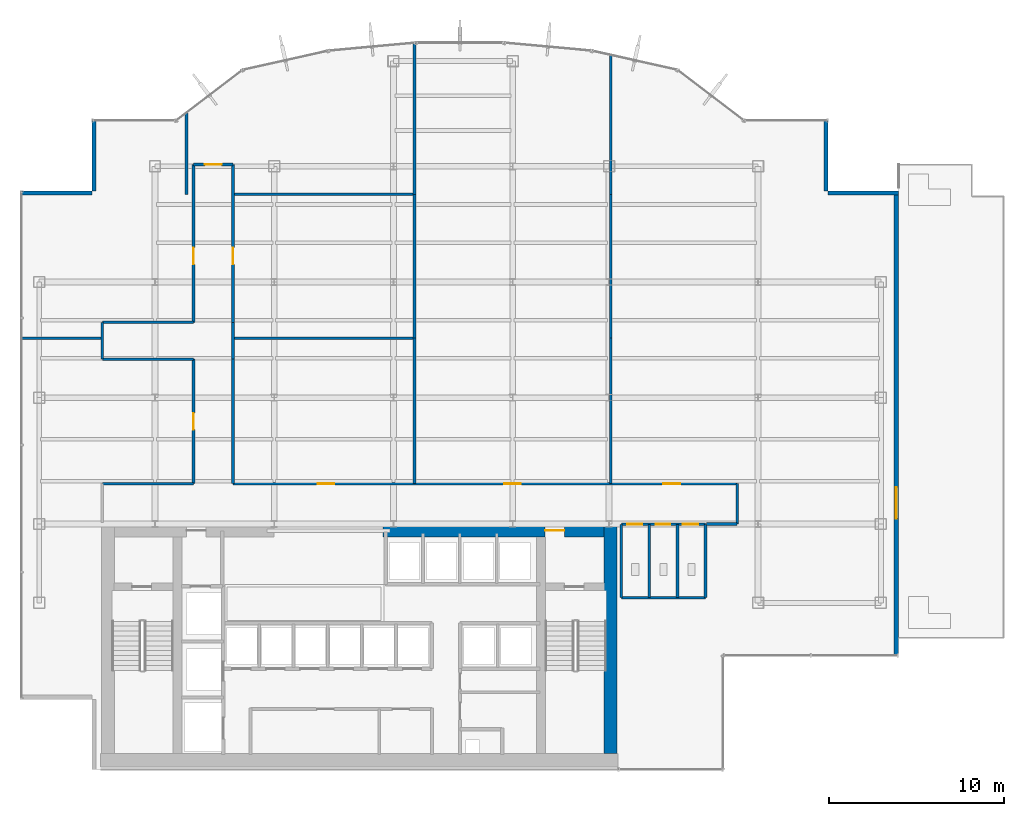
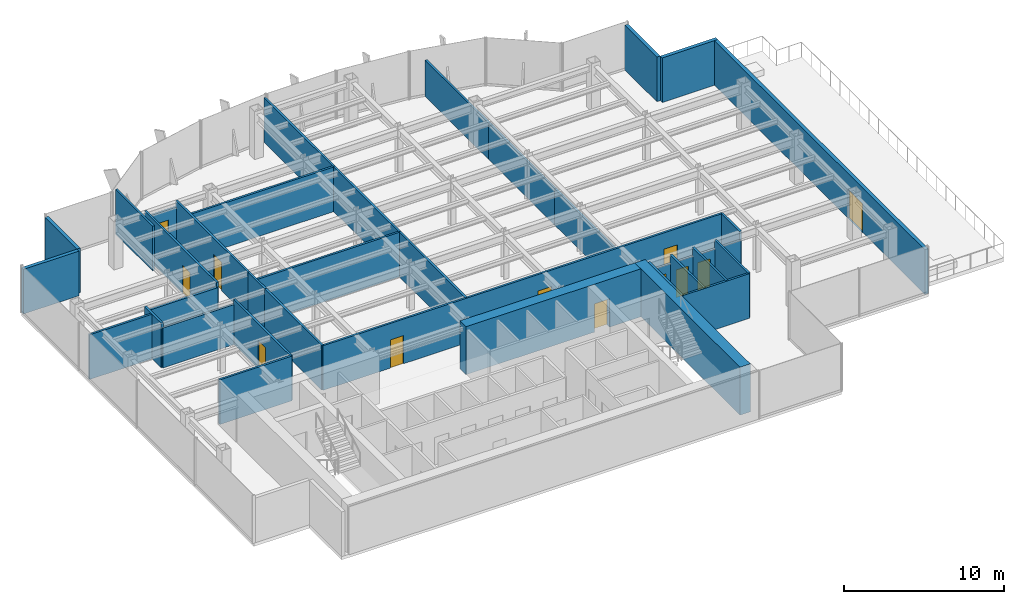
# One storey, part 19 of 23: 36 walls, 12 doors, 12 openings.
"""IFC4 building model written with IfcOpenShell, lengths in metres."""

import ifcopenshell
import ifcopenshell.guid

model = None  # the IFC model being written
_history = None  # IfcOwnerHistory: only IFC2X3 demands one
_inside = {}  # id of a spatial element -> (the spatial element, [elements in it])
_under = {}  # id of a project, library or spatial element -> (it, [spatial elements below it])
_declared = {}  # id of a project -> (the project, [libraries it declares])
_typed = {}  # id of a type object -> (the type object, [elements of that type])
_made_of = {}  # id of a material, layer set ... -> (it, [elements and type objects made of it])


def new_model(schema):
    """Start an empty IFC model of exactly this schema.

    Asked for "IFC4X3", IfcOpenShell would pick the latest addendum, in which some entities
    have other attributes; the version numbers below select the first issue.
    IFC2X3 requires an IfcOwnerHistory on every rooted entity: one is made here for all.
    """
    global model, _history
    if schema == "IFC4X3":
        model = ifcopenshell.file(schema_version=(4, 3, 0, 0))
    else:
        model = ifcopenshell.file(schema=schema)
    _inside.clear()
    _under.clear()
    _declared.clear()
    _typed.clear()
    _made_of.clear()
    _history = None
    if model.schema == "IFC2X3":
        org = make("IfcOrganization", Name="unknown")
        user = make(
            "IfcPersonAndOrganization",
            ThePerson=make("IfcPerson", FamilyName="unknown"),
            TheOrganization=org,
        )
        app = make(
            "IfcApplication",
            ApplicationDeveloper=org,
            Version="unknown",
            ApplicationFullName="unknown",
            ApplicationIdentifier="unknown",
        )
        _history = make(
            "IfcOwnerHistory",
            OwningUser=user,
            OwningApplication=app,
            ChangeAction="ADDED",
            CreationDate=0,
        )
    return model


def make(cls, **values):
    """One entity of the class cls with the attributes given. An attribute that is None is left unset."""
    return model.create_entity(
        cls, **{name: value for name, value in values.items() if value is not None}
    )


def rooted(cls, **values):
    """An entity with a GlobalId (a new one), such as an element, a storey or a relation."""
    return make(cls, GlobalId=ifcopenshell.guid.new(), OwnerHistory=_history, **values)


def si_unit(unit_type, name, prefix=None):
    """IfcSIUnit, for example si_unit("LENGTHUNIT", "METRE", prefix="MILLI")."""
    return make("IfcSIUnit", UnitType=unit_type, Prefix=prefix, Name=name)


def derived_unit(unit_type, elements):
    """IfcDerivedUnit: a product of units, each with its exponent."""
    return make(
        "IfcDerivedUnit",
        Elements=[
            make("IfcDerivedUnitElement", Unit=unit, Exponent=power)
            for unit, power in elements
        ],
        UnitType=unit_type,
    )


def assignment(units):
    """IfcUnitAssignment: the units of a project."""
    return None if units is None else make("IfcUnitAssignment", Units=units)


def point(xyz):
    """IfcCartesianPoint."""
    return None if xyz is None else make("IfcCartesianPoint", Coordinates=xyz)


def direction(xyz):
    """IfcDirection."""
    return None if xyz is None else make("IfcDirection", DirectionRatios=xyz)


def frame(location, z_axis=None, x_axis=None):
    """IfcAxis2Placement3D, a coordinate frame: its origin and axes. An axis left out is left unset."""
    return make(
        "IfcAxis2Placement3D",
        Location=point(location),
        Axis=direction(z_axis),
        RefDirection=direction(x_axis),
    )


def frame_2d(location, x_axis=None):
    """IfcAxis2Placement2D, a coordinate frame in the plane: its origin and x axis."""
    return make(
        "IfcAxis2Placement2D", Location=point(location), RefDirection=direction(x_axis)
    )


def origin():
    """The frame at (0, 0, 0) with its axes left unset."""
    return frame((0.0, 0.0, 0.0))


def place(relative_to, where):
    """IfcLocalPlacement: puts the frame where relative to a parent placement (None: the world)."""
    return make(
        "IfcLocalPlacement", PlacementRelTo=relative_to, RelativePlacement=where
    )


def context(
    kind, dimensions, precision=None, world=None, true_north=None, identifier=None
):
    """IfcGeometricRepresentationContext, for example the 3D "Model" context."""
    return make(
        "IfcGeometricRepresentationContext",
        ContextIdentifier=identifier,
        ContextType=kind,
        CoordinateSpaceDimension=dimensions,
        Precision=precision,
        WorldCoordinateSystem=world,
        TrueNorth=true_north,
    )


def subcontext(parent, identifier, kind, view, scale=None):
    """IfcGeometricRepresentationSubContext, for example "Body" below "Model"."""
    return make(
        "IfcGeometricRepresentationSubContext",
        ContextIdentifier=identifier,
        ContextType=kind,
        ParentContext=parent,
        TargetScale=scale,
        TargetView=view,
    )


def project(units=None, contexts=None):
    """IfcProject with its units and contexts."""
    return rooted(
        "IfcProject",
        Name="project",
        RepresentationContexts=contexts,
        UnitsInContext=assignment(units),
    )


def spatial(cls, under=None, at=None, **own):
    """A site, building, storey or space (cls), placed at a placement, below another one or the project."""
    s = rooted(cls, ObjectPlacement=at, **own)
    if under is not None:
        _under.setdefault(under.id(), (under, []))[1].append(s)
    return s


def profile(cls, at=None, kind="AREA", **sizes):
    """A parametric profile (cls). Its sizes go by their IFC names, for example OverallWidth=200.0."""
    return make(cls, ProfileType=kind, Position=at, **sizes)


def rectangle(**sizes):
    """IfcRectangleProfileDef."""
    return profile("IfcRectangleProfileDef", **sizes)


def extrude(swept, where, along, depth):
    """IfcExtrudedAreaSolid: the profile swept, set in the frame where, extruded along a direction by depth."""
    return make(
        "IfcExtrudedAreaSolid",
        SweptArea=swept,
        Position=where,
        ExtrudedDirection=direction(along),
        Depth=depth,
    )


def shape(context_of_items, identifier, shape_type, items):
    """IfcShapeRepresentation: the items that make up one representation, for example the "Body"."""
    return make(
        "IfcShapeRepresentation",
        ContextOfItems=context_of_items,
        RepresentationIdentifier=identifier,
        RepresentationType=shape_type,
        Items=items,
    )


def source(mapping_origin, context_of_items, identifier, shape_type, items):
    """IfcRepresentationMap: a shape defined once, which mapped items show again and again."""
    return make(
        "IfcRepresentationMap",
        MappingOrigin=mapping_origin,
        MappedRepresentation=shape(context_of_items, identifier, shape_type, items),
    )


def transform(
    local_origin,
    x_axis=None,
    y_axis=None,
    z_axis=None,
    scale=None,
    scale2=None,
    scale3=None,
    uniform=True,
):
    """IfcCartesianTransformationOperator3D, or its non-uniform kind. x_axis, y_axis, z_axis: its Axis1, 2, 3."""
    if uniform:
        return make(
            "IfcCartesianTransformationOperator3D",
            Axis1=direction(x_axis),
            Axis2=direction(y_axis),
            LocalOrigin=point(local_origin),
            Scale=scale,
            Axis3=direction(z_axis),
        )
    return make(
        "IfcCartesianTransformationOperator3DnonUniform",
        Axis1=direction(x_axis),
        Axis2=direction(y_axis),
        LocalOrigin=point(local_origin),
        Scale=scale,
        Axis3=direction(z_axis),
        Scale2=scale2,
        Scale3=scale3,
    )


def mapped(mapping_source, mapping_target):
    """IfcMappedItem: shows the shape of a source again, moved by a transform."""
    return make(
        "IfcMappedItem", MappingSource=mapping_source, MappingTarget=mapping_target
    )


def material(Name=None, Category=None):
    """IfcMaterial."""
    return make("IfcMaterial", Name=Name, Category=Category)


def layer(
    of_material, thickness, ventilated=None, Name=None, Category=None, Priority=None
):
    """IfcMaterialLayer: one layer of a wall or slab, of a material (None: an air gap)."""
    return make(
        "IfcMaterialLayer",
        Material=of_material,
        LayerThickness=thickness,
        IsVentilated=ventilated,
        Name=Name,
        Category=Category,
        Priority=Priority,
    )


def layer_set(layers, Name=None):
    """IfcMaterialLayerSet."""
    return make("IfcMaterialLayerSet", MaterialLayers=layers, LayerSetName=Name)


def made_of(thing, what):
    """Note that an element or type object is made of a material, layer set ...; save() writes the relation."""
    if what is not None:
        _made_of.setdefault(what.id(), (what, []))[1].append(thing)
    return thing


def type_object(cls, material=None, **own):
    """A type object (cls), such as IfcWallType, which elements share."""
    return made_of(rooted(cls, **own), material)


def element(
    cls,
    number,
    at=None,
    inside=None,
    cuts=None,
    type_object=None,
    material=None,
    context=None,
    identifier="Body",
    shape_type=None,
    held_by="IfcProductDefinitionShape",
    body=None,
    shapes=None,
    **own,
):
    """One element of the class cls, such as IfcWall. Its Tag is "e" and its number.

    at: its placement. inside: the storey or other place that contains it. cuts: it is an
    opening in that element (IfcRelVoidsElement). A single representation is given by context,
    identifier, shape_type and body (its items); several are given by shapes. held_by: the class
    of the entity that holds the representations. save() writes the other relations.
    """
    e = rooted(cls, Tag="e%d" % number, ObjectPlacement=at, **own)
    if body is not None:
        shapes = [shape(context, identifier, shape_type, body)]
    if shapes is not None:
        e.Representation = make(held_by, Representations=shapes)
    if inside is not None:
        _inside.setdefault(inside.id(), (inside, []))[1].append(e)
    if cuts is not None:
        rooted(
            "IfcRelVoidsElement", RelatingBuildingElement=cuts, RelatedOpeningElement=e
        )
    if type_object is not None:
        _typed.setdefault(type_object.id(), (type_object, []))[1].append(e)
    return made_of(e, material)


def fill(opening, filler):
    """IfcRelFillsElement: the door or window that sits in an opening."""
    return rooted(
        "IfcRelFillsElement",
        RelatingOpeningElement=opening,
        RelatedBuildingElement=filler,
    )


def aggregate(whole, parts):
    """IfcRelAggregates: a whole, such as a stair, and the parts it consists of."""
    return rooted("IfcRelAggregates", RelatingObject=whole, RelatedObjects=parts)


def save(model, path):
    """Write the relations noted so far, then the file.

    IfcRelAggregates (storeys below a building ...), IfcRelContainedInSpatialStructure (elements
    in a storey), IfcRelDefinesByType, IfcRelAssociatesMaterial and IfcRelDeclares: one each for
    every whole, place, type object, material and project.
    """
    for whole, parts in _under.values():
        aggregate(whole, parts)
    for where, things in _inside.values():
        rooted(
            "IfcRelContainedInSpatialStructure",
            RelatedElements=things,
            RelatingStructure=where,
        )
    for kind, things in _typed.values():
        rooted("IfcRelDefinesByType", RelatedObjects=things, RelatingType=kind)
    for what, things in _made_of.values():
        rooted("IfcRelAssociatesMaterial", RelatedObjects=things, RelatingMaterial=what)
    for by, libraries in _declared.values():
        rooted("IfcRelDeclares", RelatingContext=by, RelatedDefinitions=libraries)
    model.write(path)


model = new_model("IFC4")

# Units and contexts
model_context = context("Model", 3, precision=1e-05, world=origin(), true_north=direction((0.0, 1.0)))
body_context = subcontext(model_context, "Body", "Model", "MODEL_VIEW")
ifc_project = project(units=[si_unit("LENGTHUNIT", "METRE"), si_unit("AREAUNIT", "SQUARE_METRE"), si_unit("VOLUMEUNIT", "CUBIC_METRE"), si_unit("PLANEANGLEUNIT", "RADIAN"), si_unit("MASSUNIT", "GRAM", prefix="KILO"), derived_unit("THERMALTRANSMITTANCEUNIT", [(si_unit("POWERUNIT", "WATT"), 1), (si_unit("LENGTHUNIT", "METRE"), -2), (si_unit("THERMODYNAMICTEMPERATUREUNIT", "KELVIN"), -1)])], contexts=[model_context])

# Site, building, storey
site_placement = place(None, origin())
site = spatial("IfcSite", under=ifc_project, at=site_placement, CompositionType="ELEMENT")
building_placement = place(site_placement, origin())
building = spatial("IfcBuilding", under=site, at=building_placement, Name="Skarnbrae Concourse Arena and Tower", CompositionType="ELEMENT")
storey_placement = place(building_placement, frame((0.0, 0.0, 140.60009765625)))
storey = spatial("IfcBuildingStorey", under=building, at=storey_placement, Name="L35", CompositionType="ELEMENT", Elevation=140.60009765625)

# Wall
ifc_material_1 = material(Name="Concrete 60 MPa (C60/75)", Category="concrete")
ifc_layer_1 = layer(ifc_material_1, 0.75)
ifc_layer_set_1 = layer_set([ifc_layer_1], Name="Concrete 60 MPa (C60/75)")
wall_type_1 = type_object("IfcWallType", Name="WALL-CORE-750-C60", PredefinedType="SHEAR", material=ifc_layer_set_1)
shared_shape_1 = source(origin(), body_context, "Body", "SweptSolid", [
    extrude(rectangle(XDim=13.10009765625, YDim=0.75, at=frame_2d((6.550048828125, 0.0))), origin(), (0.0, 0.0, 1.0), 3.64990234375),
])
wall_1_placement = place(storey_placement, frame((33.574951171875, 0.89990234375, 0.0), z_axis=(0.0, 0.0, 1.0), x_axis=(0.0, 1.0, 0.0)))
element("IfcWall", 1, at=wall_1_placement, inside=storey, type_object=wall_type_1, Name="L35 Rear core shear wall CW-E", PredefinedType="SHEAR", context=body_context, shape_type="MappedRepresentation", body=[
    mapped(shared_shape_1, transform((0.0, 0.0, 0.0))),
])

# Wall, opening, door
shared_shape_2 = source(origin(), body_context, "Body", "SweptSolid", [
    extrude(rectangle(XDim=12.599853515625, YDim=0.75, at=frame_2d((6.2998046875, 0.0))), origin(), (0.0, 0.0, 1.0), 3.64990234375),
])
wall_2_placement = place(storey_placement, frame((20.60009765625, 13.625, 0.0), z_axis=(0.0, 0.0, 1.0), x_axis=(1.0, 0.0, 0.0)))
wall_2 = element("IfcWall", 2, at=wall_2_placement, inside=storey, type_object=wall_type_1, Name="L35 Rear core shear wall CW-NE", PredefinedType="SHEAR", context=body_context, shape_type="MappedRepresentation", body=[
    mapped(shared_shape_2, transform((0.0, 0.0, 0.0))),
])
opening_1_placement = place(wall_2_placement, frame((9.25, 0.0, 0.0)))
opening_1 = element("IfcOpeningElement", 3, at=opening_1_placement, cuts=wall_2, Name="Opening DT-03", PredefinedType="OPENING", context=body_context, shape_type="SweptSolid", body=[
    extrude(rectangle(XDim=1.10009765625, YDim=2.14990234375, at=frame_2d((0.550048828125, 1.074951171875))), frame((0.0, 0.385009765625, 0.0), z_axis=(0.0, -1.0, 0.0), x_axis=(1.0, 0.0, 0.0)), (0.0, 0.0, 1.0), 0.77001953125),
])
ifc_material_2 = material(Name="Steel CSA G40.21 350W", Category="steel")
door_type_1 = type_object("IfcDoorType", Name="DOOR-FIRE-1100-90M", OperationType="NOTDEFINED", PredefinedType="DOOR", material=ifc_material_2)
shared_shape_3 = source(origin(), body_context, "Body", "SweptSolid", [
    extrude(rectangle(XDim=1.10009765625, YDim=2.14990234375, at=frame_2d((0.550048828125, 1.074951171875))), frame((0.0, 0.02490234375, 0.0), z_axis=(0.0, -1.0, 0.0), x_axis=(1.0, 0.0, 0.0)), (0.0, 0.0, 1.0), 0.050048828125),
])
door_1_placement = place(opening_1_placement, origin())
door_1 = element("IfcDoor", 4, at=door_1_placement, inside=storey, type_object=door_type_1, Name="D-1098 Stair ST-2 Vestibule Door", OperationType="SINGLE_SWING_LEFT", OverallHeight=2.14990234375, OverallWidth=1.10009765625, PredefinedType="DOOR", context=body_context, shape_type="MappedRepresentation", body=[
    mapped(shared_shape_3, transform((0.0, 0.0, 0.0))),
])
fill(opening_1, door_1)

ifc_material_3 = material(Name="Precast concrete 40 MPa (C40/50)", Category="concrete")
ifc_layer_2 = layer(ifc_material_3, 0.25)
ifc_layer_set_2 = layer_set([ifc_layer_2], Name="Precast concrete 40 MPa (C40/50)")
wall_type_2 = type_object("IfcWallType", Name="WALL-EXT-SPANDREL-250", PredefinedType="STANDARD", material=ifc_layer_set_2)
shared_shape_4 = source(origin(), body_context, "Body", "SweptSolid", [
    extrude(rectangle(XDim=26.5, YDim=0.25, at=frame_2d((13.25, 0.0))), origin(), (0.0, 0.0, 1.0), 3.39990234375),
])
wall_3_placement = place(storey_placement, frame((49.875, 6.5, 0.0), z_axis=(0.0, 0.0, 1.0), x_axis=(0.0, 1.0, 0.0)))
wall_3 = element("IfcWall", 5, at=wall_3_placement, inside=storey, type_object=wall_type_2, Name="L35 East terrace access facade wall", PredefinedType="STANDARD", context=body_context, shape_type="MappedRepresentation", body=[
    mapped(shared_shape_4, transform((0.0, 0.0, 0.0))),
])
opening_2_placement = place(wall_3_placement, frame((7.800048828125, 0.0, 0.0)))
opening_2 = element("IfcOpeningElement", 6, at=opening_2_placement, cuts=wall_3, Name="Opening DT-02", PredefinedType="OPENING", context=body_context, shape_type="SweptSolid", body=[
    extrude(rectangle(XDim=1.800048828125, YDim=2.199951171875, at=frame_2d((0.89990234375, 1.10009765625))), frame((0.0, 0.135009765625, 0.0), z_axis=(0.0, -1.0, 0.0), x_axis=(1.0, 0.0, 0.0)), (0.0, 0.0, 1.0), 0.27001953125),
])
ifc_material_4 = material(Name="Bronze anodised aluminium 6063-T6", Category="aluminium")
door_type_2 = type_object("IfcDoorType", Name="DOOR-TERRACE-1800", OperationType="DOUBLE_DOOR_SINGLE_SWING", PredefinedType="DOOR", material=ifc_material_4)
shared_shape_5 = source(origin(), body_context, "Body", "SweptSolid", [
    extrude(rectangle(XDim=1.800048828125, YDim=2.199951171875, at=frame_2d((0.89990234375, 1.10009765625))), frame((0.0, 0.02490234375, 0.0), z_axis=(0.0, -1.0, 0.0), x_axis=(1.0, 0.0, 0.0)), (0.0, 0.0, 1.0), 0.050048828125),
])
door_2_placement = place(opening_2_placement, frame((1.800048828125, 0.0, 0.0), z_axis=(0.0, 0.0, 1.0), x_axis=(-1.0, 0.0, 0.0)))
door_2 = element("IfcDoor", 7, at=door_2_placement, inside=storey, type_object=door_type_2, Name="D-0038 L35 Setback Terrace Door", OperationType="DOUBLE_DOOR_SINGLE_SWING", OverallHeight=2.199951171875, OverallWidth=1.800048828125, PredefinedType="DOOR", context=body_context, shape_type="MappedRepresentation", body=[
    mapped(shared_shape_5, transform((0.0, 0.0, 0.0))),
])
fill(opening_2, door_2)

# Walls
shared_shape_6 = source(origin(), body_context, "Body", "SweptSolid", [
    extrude(rectangle(XDim=4.0, YDim=0.25, at=frame_2d((2.0, 0.0))), origin(), (0.0, 0.0, 1.0), 3.39990234375),
])
for number, where, z_axis, x_axis, name in (
    (8, (50.0, 32.875, 0.0), (0.0, 0.0, 1.0), (-1.0, 0.0, 0.0), "L35 Notched corner insulated return wall 05"),
    (9, (45.875, 33.0, 0.0), (0.0, 0.0, 1.0), (0.0, 1.0, 0.0), "L35 Notched corner insulated return wall 06"),
    (10, (4.125, 37.0, 0.0), (0.0, 0.0, 1.0), (0.0, -1.0, 0.0), "L35 Notched corner insulated return wall 16"),
    (11, (4.0, 32.875, 0.0), (0.0, 0.0, 1.0), (-1.0, 0.0, 0.0), "L35 Notched corner insulated return wall 17"),
):
    element("IfcWall", number, at=place(storey_placement, frame(where, z_axis=z_axis, x_axis=x_axis)), inside=storey, type_object=wall_type_2, Name=name, PredefinedType="STANDARD", context=body_context, shape_type="MappedRepresentation", body=[
        mapped(shared_shape_6, transform((0.0, 0.0, 0.0))),
    ])
ifc_material_5 = material(Name="Gypsum board on cold-formed steel studs", Category="steel")
ifc_layer_3 = layer(ifc_material_5, 0.14990234375)
ifc_layer_set_3 = layer_set([ifc_layer_3], Name="Gypsum board on cold-formed steel studs")
wall_type_3 = type_object("IfcWallType", Name="WALL-PART-150", PredefinedType="PARTITIONING", material=ifc_layer_set_3)
shared_shape_7 = source(origin(), body_context, "Body", "SweptSolid", [
    extrude(rectangle(XDim=4.800048828125, YDim=0.14990234375, at=frame_2d((2.39990234375, 0.0))), origin(), (0.0, 0.0, 1.0), 3.39990234375),
])
wall_4_placement = place(storey_placement, frame((34.199951171875, 9.800048828125, 0.0), z_axis=(0.0, 0.0, 1.0), x_axis=(1.0, 0.0, 0.0)))
element("IfcWall", 12, at=wall_4_placement, inside=storey, type_object=wall_type_3, Name="L35 Interior partition wall W-L35-WC-S", PredefinedType="PARTITIONING", context=body_context, shape_type="MappedRepresentation", body=[
    mapped(shared_shape_7, transform((0.0, 0.0, 0.0))),
])
shared_shape_8 = source(origin(), body_context, "Body", "SweptSolid", [
    extrude(rectangle(XDim=4.179931640625, YDim=0.14990234375, at=frame_2d((2.08984375, 0.0))), origin(), (0.0, 0.0, 1.0), 3.39990234375),
])
for number, where, z_axis, x_axis, name in (
    (13, (39.0, 9.800048828125, 0.0), (0.0, 0.0, 1.0), (0.0, 1.0, 0.0), "L35 Interior partition wall W-L35-WC-E"),
    (14, (34.199951171875, 9.800048828125, 0.0), (0.0, 0.0, 1.0), (0.0, 1.0, 0.0), "L35 Interior partition wall W-L35-WC-W"),
    (15, (35.800048828125, 9.800048828125, 0.0), (0.0, 0.0, 1.0), (0.0, 1.0, 0.0), "L35 Interior partition wall W-L35-WC-D1"),
    (16, (37.39990234375, 9.800048828125, 0.0), (0.0, 0.0, 1.0), (0.0, 1.0, 0.0), "L35 Interior partition wall W-L35-WC-D2"),
):
    element("IfcWall", number, at=place(storey_placement, frame(where, z_axis=z_axis, x_axis=x_axis)), inside=storey, type_object=wall_type_3, Name=name, PredefinedType="PARTITIONING", context=body_context, shape_type="MappedRepresentation", body=[
        mapped(shared_shape_8, transform((0.0, 0.0, 0.0))),
    ])
shared_shape_9 = source(origin(), body_context, "Body", "SweptSolid", [
    extrude(rectangle(XDim=10.349853515625, YDim=0.14990234375, at=frame_2d((5.1748046875, 0.0))), origin(), (0.0, 0.0, 1.0), 3.39990234375),
])
for number, where, z_axis, x_axis, name in (
    (17, (12.050048828125, 24.60009765625, 0.0), (0.0, 0.0, 1.0), (1.0, 0.0, 0.0), "L35 Interior partition wall W-L35-DEM-17"),
    (18, (22.39990234375, 32.800048828125, 0.0), (0.0, 0.0, 1.0), (-1.0, 0.0, 0.0), "L35 Interior partition wall W-L35-DEM-18"),
):
    element("IfcWall", number, at=place(storey_placement, frame(where, z_axis=z_axis, x_axis=x_axis)), inside=storey, type_object=wall_type_3, Name=name, PredefinedType="PARTITIONING", context=body_context, shape_type="MappedRepresentation", body=[
        mapped(shared_shape_9, transform((0.0, 0.0, 0.0))),
    ])
ifc_layer_4 = layer(ifc_material_5, 0.14990234375)
ifc_layer_set_4 = layer_set([ifc_layer_4], Name="Gypsum board on cold-formed steel studs")
wall_type_4 = type_object("IfcWallType", Name="WALL-PART-150-1HR", PredefinedType="PARTITIONING", material=ifc_layer_set_4)
shared_shape_10 = source(origin(), body_context, "Body", "SweptSolid", [
    extrude(rectangle(XDim=2.10009765625, YDim=0.14990234375, at=frame_2d((1.050048828125, 0.0))), origin(), (0.0, 0.0, 1.0), 3.39990234375),
])
for number, where, z_axis, x_axis, name in (
    (19, (4.60009765625, 23.39990234375, 0.0), (0.0, 0.0, 1.0), (0.0, 1.0, 0.0), "L35 Interior partition wall W-L35-COR-05"),
    (20, (12.050048828125, 25.5, 0.0), (0.0, 0.0, 1.0), (0.0, -1.0, 0.0), "L35 Interior partition wall W-L35-COR-10"),
):
    element("IfcWall", number, at=place(storey_placement, frame(where, z_axis=z_axis, x_axis=x_axis)), inside=storey, type_object=wall_type_4, Name=name, PredefinedType="PARTITIONING", context=body_context, shape_type="MappedRepresentation", body=[
        mapped(shared_shape_10, transform((0.0, 0.0, 0.0))),
    ])
shared_shape_11 = source(origin(), body_context, "Body", "SweptSolid", [
    extrude(rectangle(XDim=2.300048828125, YDim=0.14990234375, at=frame_2d((1.14990234375, 0.0))), origin(), (0.0, 0.0, 1.0), 3.39990234375),
])
wall_5_placement = place(storey_placement, frame((40.800048828125, 16.300048828125, 0.0), z_axis=(0.0, 0.0, 1.0), x_axis=(0.0, -1.0, 0.0)))
element("IfcWall", 21, at=wall_5_placement, inside=storey, type_object=wall_type_4, Name="L35 Interior partition wall W-L35-COR-13", PredefinedType="PARTITIONING", context=body_context, shape_type="MappedRepresentation", body=[
    mapped(shared_shape_11, transform((0.0, 0.0, 0.0))),
])
shared_shape_12 = source(origin(), body_context, "Body", "SweptSolid", [
    extrude(rectangle(XDim=4.580078125, YDim=0.14990234375, at=frame_2d((2.2900390625, 0.0))), origin(), (0.0, 0.0, 1.0), 3.39990234375),
])
wall_6_placement = place(storey_placement, frame((0.02001953125, 24.60009765625, 0.0), z_axis=(0.0, 0.0, 1.0), x_axis=(1.0, 0.0, 0.0)))
element("IfcWall", 22, at=wall_6_placement, inside=storey, type_object=wall_type_3, Name="L35 Interior partition wall W-L35-DEM-15", PredefinedType="PARTITIONING", context=body_context, shape_type="MappedRepresentation", body=[
    mapped(shared_shape_12, transform((0.0, 0.0, 0.0))),
])

# Wall, openings, doors
shared_shape_13 = source(origin(), body_context, "Body", "SweptSolid", [
    extrude(rectangle(XDim=4.800048828125, YDim=0.14990234375, at=frame_2d((2.39990234375, 0.0))), origin(), (0.0, 0.0, 1.0), 2.760009765625),
])
wall_7_placement = place(storey_placement, frame((34.199951171875, 13.97998046875, 0.0), z_axis=(0.0, 0.0, 1.0), x_axis=(1.0, 0.0, 0.0)))
wall_7 = element("IfcWall", 23, at=wall_7_placement, inside=storey, type_object=wall_type_3, Name="L35 Interior partition wall W-L35-WC-N", PredefinedType="PARTITIONING", context=body_context, shape_type="MappedRepresentation", body=[
    mapped(shared_shape_13, transform((0.0, 0.0, 0.0))),
])
opening_3_placement = place(wall_7_placement, frame((0.35009765625, 0.0, 0.0)))
opening_3 = element("IfcOpeningElement", 24, at=opening_3_placement, cuts=wall_7, Name="Opening DT-06", PredefinedType="OPENING", context=body_context, shape_type="SweptSolid", body=[
    extrude(rectangle(XDim=0.85009765625, YDim=2.10009765625, at=frame_2d((0.425048828125, 1.050048828125))), frame((0.0, 0.0849609375, 0.0), z_axis=(0.0, -1.0, 0.0), x_axis=(1.0, 0.0, 0.0)), (0.0, 0.0, 1.0), 0.169921875),
])
opening_4_placement = place(wall_7_placement, frame((1.949951171875, 0.0, 0.0)))
opening_4 = element("IfcOpeningElement", 25, at=opening_4_placement, cuts=wall_7, Name="Opening DT-06", PredefinedType="OPENING", context=body_context, shape_type="SweptSolid", body=[
    extrude(rectangle(XDim=0.85009765625, YDim=2.10009765625, at=frame_2d((0.425048828125, 1.050048828125))), frame((0.0, 0.0849609375, 0.0), z_axis=(0.0, -1.0, 0.0), x_axis=(1.0, 0.0, 0.0)), (0.0, 0.0, 1.0), 0.169921875),
])
opening_5_placement = place(wall_7_placement, frame((3.5, 0.0, 0.0)))
opening_5 = element("IfcOpeningElement", 26, at=opening_5_placement, cuts=wall_7, Name="Opening DT-05", PredefinedType="OPENING", context=body_context, shape_type="SweptSolid", body=[
    extrude(rectangle(XDim=0.89990234375, YDim=2.10009765625, at=frame_2d((0.449951171875, 1.050048828125))), frame((0.0, 0.0849609375, 0.0), z_axis=(0.0, -1.0, 0.0), x_axis=(1.0, 0.0, 0.0)), (0.0, 0.0, 1.0), 0.169921875),
])
ifc_material_6 = material(Name="Architectural oak veneer timber leaf", Category="wood")
door_type_3 = type_object("IfcDoorType", Name="DOOR-INT-850", OperationType="NOTDEFINED", PredefinedType="DOOR", material=ifc_material_6)
shared_shape_14 = source(origin(), body_context, "Body", "SweptSolid", [
    extrude(rectangle(XDim=0.85009765625, YDim=2.10009765625, at=frame_2d((0.425048828125, 1.050048828125))), frame((0.0, 0.02490234375, 0.0), z_axis=(0.0, -1.0, 0.0), x_axis=(1.0, 0.0, 0.0)), (0.0, 0.0, 1.0), 0.050048828125),
])
door_3_placement = place(opening_3_placement, frame((0.85009765625, 0.0, 0.0), z_axis=(0.0, 0.0, 1.0), x_axis=(-1.0, 0.0, 0.0)))
door_3 = element("IfcDoor", 27, at=door_3_placement, inside=storey, type_object=door_type_3, Name="D-1112 Male Washroom Door", OperationType="SINGLE_SWING_LEFT", OverallHeight=2.10009765625, OverallWidth=0.85009765625, PredefinedType="DOOR", context=body_context, shape_type="MappedRepresentation", body=[
    mapped(shared_shape_14, transform((0.0, 0.0, 0.0))),
])
fill(opening_3, door_3)
door_4_placement = place(opening_4_placement, frame((0.85009765625, 0.0, 0.0), z_axis=(0.0, 0.0, 1.0), x_axis=(-1.0, 0.0, 0.0)))
door_4 = element("IfcDoor", 28, at=door_4_placement, inside=storey, type_object=door_type_3, Name="D-1113 Female Washroom Door", OperationType="SINGLE_SWING_RIGHT", OverallHeight=2.10009765625, OverallWidth=0.85009765625, PredefinedType="DOOR", context=body_context, shape_type="MappedRepresentation", body=[
    mapped(shared_shape_14, transform((0.0, 0.0, 0.0))),
])
fill(opening_4, door_4)
door_type_4 = type_object("IfcDoorType", Name="DOOR-INT-900", OperationType="NOTDEFINED", PredefinedType="DOOR", material=ifc_material_6)
shared_shape_15 = source(origin(), body_context, "Body", "SweptSolid", [
    extrude(rectangle(XDim=0.89990234375, YDim=2.10009765625, at=frame_2d((0.449951171875, 1.050048828125))), frame((0.0, 0.02490234375, 0.0), z_axis=(0.0, -1.0, 0.0), x_axis=(1.0, 0.0, 0.0)), (0.0, 0.0, 1.0), 0.050048828125),
])
door_5_placement = place(opening_5_placement, frame((0.89990234375, 0.0, 0.0), z_axis=(0.0, 0.0, 1.0), x_axis=(-1.0, 0.0, 0.0)))
door_5 = element("IfcDoor", 29, at=door_5_placement, inside=storey, type_object=door_type_4, Name="D-1114 Accessible WC Door", OperationType="SINGLE_SWING_LEFT", OverallHeight=2.10009765625, OverallWidth=0.89990234375, PredefinedType="DOOR", context=body_context, shape_type="MappedRepresentation", body=[
    mapped(shared_shape_15, transform((0.0, 0.0, 0.0))),
])
fill(opening_5, door_5)

# Wall
shared_shape_16 = source(origin(), body_context, "Body", "SweptSolid", [
    extrude(rectangle(XDim=5.199951171875, YDim=0.14990234375, at=frame_2d((2.60009765625, 0.0))), origin(), (0.0, 0.0, 1.0), 3.39990234375),
])
wall_8_placement = place(storey_placement, frame((4.60009765625, 16.300048828125, 0.0), z_axis=(0.0, 0.0, 1.0), x_axis=(1.0, 0.0, 0.0)))
element("IfcWall", 30, at=wall_8_placement, inside=storey, type_object=wall_type_4, Name="L35 Interior partition wall W-L35-COR-02", PredefinedType="PARTITIONING", context=body_context, shape_type="MappedRepresentation", body=[
    mapped(shared_shape_16, transform((0.0, 0.0, 0.0))),
])

# Wall, opening, door
shared_shape_17 = source(origin(), body_context, "Body", "SweptSolid", [
    extrude(rectangle(XDim=7.099853515625, YDim=0.14990234375, at=frame_2d((3.5498046875, 0.0))), origin(), (0.0, 0.0, 1.0), 3.39990234375),
])
wall_9_placement = place(storey_placement, frame((9.800048828125, 16.300048828125, 0.0), z_axis=(0.0, 0.0, 1.0), x_axis=(0.0, 1.0, 0.0)))
wall_9 = element("IfcWall", 31, at=wall_9_placement, inside=storey, type_object=wall_type_4, Name="L35 Interior partition wall W-L35-COR-03", PredefinedType="PARTITIONING", context=body_context, shape_type="MappedRepresentation", body=[
    mapped(shared_shape_17, transform((0.0, 0.0, 0.0))),
])
opening_6_placement = place(wall_9_placement, frame((3.074951171875, 0.0, 0.0)))
opening_6 = element("IfcOpeningElement", 32, at=opening_6_placement, cuts=wall_9, Name="Opening DT-04", PredefinedType="OPENING", context=body_context, shape_type="SweptSolid", body=[
    extrude(rectangle(XDim=0.949951171875, YDim=2.14990234375, at=frame_2d((0.47509765625, 1.074951171875))), frame((0.0, 0.0849609375, 0.0), z_axis=(0.0, -1.0, 0.0), x_axis=(1.0, 0.0, 0.0)), (0.0, 0.0, 1.0), 0.169921875),
])
door_type_5 = type_object("IfcDoorType", Name="DOOR-INT-950-45M", OperationType="NOTDEFINED", PredefinedType="DOOR", material=ifc_material_2)
shared_shape_18 = source(origin(), body_context, "Body", "SweptSolid", [
    extrude(rectangle(XDim=0.949951171875, YDim=2.14990234375, at=frame_2d((0.47509765625, 1.074951171875))), frame((0.0, 0.02490234375, 0.0), z_axis=(0.0, -1.0, 0.0), x_axis=(1.0, 0.0, 0.0)), (0.0, 0.0, 1.0), 0.050048828125),
])
door_6_placement = place(opening_6_placement, origin())
door_6 = element("IfcDoor", 33, at=door_6_placement, inside=storey, type_object=door_type_5, Name="D-1115 L35 Suite Door 01", OperationType="SINGLE_SWING_LEFT", OverallHeight=2.14990234375, OverallWidth=0.949951171875, PredefinedType="DOOR", context=body_context, shape_type="MappedRepresentation", body=[
    mapped(shared_shape_18, transform((0.0, 0.0, 0.0))),
])
fill(opening_6, door_6)

# Walls
wall_10_placement = place(storey_placement, frame((12.050048828125, 23.39990234375, 0.0), z_axis=(0.0, 0.0, 1.0), x_axis=(0.0, -1.0, 0.0)))
element("IfcWall", 34, at=wall_10_placement, inside=storey, type_object=wall_type_4, Name="L35 Interior partition wall W-L35-COR-11", PredefinedType="PARTITIONING", context=body_context, shape_type="MappedRepresentation", body=[
    mapped(shared_shape_17, transform((0.0, 0.0, 0.0))),
])
shared_shape_19 = source(origin(), body_context, "Body", "SweptSolid", [
    extrude(rectangle(XDim=5.199951171875, YDim=0.14990234375, at=frame_2d((2.60009765625, 0.0))), origin(), (0.0, 0.0, 1.0), 3.041015625),
])
for number, where, z_axis, x_axis, name in (
    (35, (9.800048828125, 23.39990234375, 0.0), (0.0, 0.0, 1.0), (-1.0, 0.0, 0.0), "L35 Interior partition wall W-L35-COR-04"),
    (36, (4.60009765625, 25.5, 0.0), (0.0, 0.0, 1.0), (1.0, 0.0, 0.0), "L35 Interior partition wall W-L35-COR-06"),
):
    element("IfcWall", number, at=place(storey_placement, frame(where, z_axis=z_axis, x_axis=x_axis)), inside=storey, type_object=wall_type_4, Name=name, PredefinedType="PARTITIONING", context=body_context, shape_type="MappedRepresentation", body=[
        mapped(shared_shape_19, transform((0.0, 0.0, 0.0))),
    ])

# Wall, opening, door
shared_shape_20 = source(origin(), body_context, "Body", "SweptSolid", [
    extrude(rectangle(XDim=9.0, YDim=0.14990234375, at=frame_2d((4.5, 0.0))), origin(), (0.0, 0.0, 1.0), 3.39990234375),
])
wall_11_placement = place(storey_placement, frame((9.800048828125, 25.5, 0.0), z_axis=(0.0, 0.0, 1.0), x_axis=(0.0, 1.0, 0.0)))
wall_11 = element("IfcWall", 37, at=wall_11_placement, inside=storey, type_object=wall_type_4, Name="L35 Interior partition wall W-L35-COR-07", PredefinedType="PARTITIONING", context=body_context, shape_type="MappedRepresentation", body=[
    mapped(shared_shape_20, transform((0.0, 0.0, 0.0))),
])
opening_7_placement = place(wall_11_placement, frame((3.304931640625, 0.0, 0.0)))
opening_7 = element("IfcOpeningElement", 38, at=opening_7_placement, cuts=wall_11, Name="Opening DT-04", PredefinedType="OPENING", context=body_context, shape_type="SweptSolid", body=[
    extrude(rectangle(XDim=0.949951171875, YDim=2.14990234375, at=frame_2d((0.47509765625, 1.074951171875))), frame((0.0, 0.0849609375, 0.0), z_axis=(0.0, -1.0, 0.0), x_axis=(1.0, 0.0, 0.0)), (0.0, 0.0, 1.0), 0.169921875),
])
door_7_placement = place(opening_7_placement, origin())
door_7 = element("IfcDoor", 39, at=door_7_placement, inside=storey, type_object=door_type_5, Name="D-1116 L35 Suite Door 02", OperationType="SINGLE_SWING_RIGHT", OverallHeight=2.14990234375, OverallWidth=0.949951171875, PredefinedType="DOOR", context=body_context, shape_type="MappedRepresentation", body=[
    mapped(shared_shape_18, transform((0.0, 0.0, 0.0))),
])
fill(opening_7, door_7)

wall_12_placement = place(storey_placement, frame((12.050048828125, 34.5, 0.0), z_axis=(0.0, 0.0, 1.0), x_axis=(0.0, -1.0, 0.0)))
wall_12 = element("IfcWall", 40, at=wall_12_placement, inside=storey, type_object=wall_type_4, Name="L35 Interior partition wall W-L35-COR-09", PredefinedType="PARTITIONING", context=body_context, shape_type="MappedRepresentation", body=[
    mapped(shared_shape_20, transform((0.0, 0.0, 0.0))),
])
opening_8_placement = place(wall_12_placement, frame((4.7451171875, 0.0, 0.0)))
opening_8 = element("IfcOpeningElement", 41, at=opening_8_placement, cuts=wall_12, Name="Opening DT-04", PredefinedType="OPENING", context=body_context, shape_type="SweptSolid", body=[
    extrude(rectangle(XDim=0.949951171875, YDim=2.14990234375, at=frame_2d((0.47509765625, 1.074951171875))), frame((0.0, 0.0849609375, 0.0), z_axis=(0.0, -1.0, 0.0), x_axis=(1.0, 0.0, 0.0)), (0.0, 0.0, 1.0), 0.169921875),
])
door_8_placement = place(opening_8_placement, origin())
door_8 = element("IfcDoor", 42, at=door_8_placement, inside=storey, type_object=door_type_5, Name="D-1119 L35 Suite Door 05", OperationType="SINGLE_SWING_LEFT", OverallHeight=2.14990234375, OverallWidth=0.949951171875, PredefinedType="DOOR", context=body_context, shape_type="MappedRepresentation", body=[
    mapped(shared_shape_18, transform((0.0, 0.0, 0.0))),
])
fill(opening_8, door_8)

shared_shape_21 = source(origin(), body_context, "Body", "SweptSolid", [
    extrude(rectangle(XDim=2.25, YDim=0.14990234375, at=frame_2d((1.125, 0.0))), origin(), (0.0, 0.0, 1.0), 2.931884765625),
])
wall_13_placement = place(storey_placement, frame((9.800048828125, 34.5, 0.0), z_axis=(0.0, 0.0, 1.0), x_axis=(1.0, 0.0, 0.0)))
wall_13 = element("IfcWall", 43, at=wall_13_placement, inside=storey, type_object=wall_type_4, Name="L35 Interior partition wall W-L35-COR-08", PredefinedType="PARTITIONING", context=body_context, shape_type="MappedRepresentation", body=[
    mapped(shared_shape_21, transform((0.0, 0.0, 0.0))),
])
opening_9_placement = place(wall_13_placement, frame((0.64990234375, 0.0, 0.0)))
opening_9 = element("IfcOpeningElement", 44, at=opening_9_placement, cuts=wall_13, Name="Opening DT-04", PredefinedType="OPENING", context=body_context, shape_type="SweptSolid", body=[
    extrude(rectangle(XDim=0.949951171875, YDim=2.14990234375, at=frame_2d((0.47509765625, 1.074951171875))), frame((0.0, 0.0849609375, 0.0), z_axis=(0.0, -1.0, 0.0), x_axis=(1.0, 0.0, 0.0)), (0.0, 0.0, 1.0), 0.169921875),
])
door_9_placement = place(opening_9_placement, origin())
door_9 = element("IfcDoor", 45, at=door_9_placement, inside=storey, type_object=door_type_5, Name="D-1117 L35 Suite Door 03", OperationType="SINGLE_SWING_LEFT", OverallHeight=2.14990234375, OverallWidth=0.949951171875, PredefinedType="DOOR", context=body_context, shape_type="MappedRepresentation", body=[
    mapped(shared_shape_18, transform((0.0, 0.0, 0.0))),
])
fill(opening_9, door_9)

# Wall, openings, doors
shared_shape_22 = source(origin(), body_context, "Body", "SweptSolid", [
    extrude(rectangle(XDim=28.75, YDim=0.14990234375, at=frame_2d((14.375, 0.0))), origin(), (0.0, 0.0, 1.0), 3.39990234375),
])
wall_14_placement = place(storey_placement, frame((12.050048828125, 16.300048828125, 0.0), z_axis=(0.0, 0.0, 1.0), x_axis=(1.0, 0.0, 0.0)))
wall_14 = element("IfcWall", 46, at=wall_14_placement, inside=storey, type_object=wall_type_4, Name="L35 Interior partition wall W-L35-COR-12", PredefinedType="PARTITIONING", context=body_context, shape_type="MappedRepresentation", body=[
    mapped(shared_shape_22, transform((0.0, 0.0, 0.0))),
])
opening_10_placement = place(wall_14_placement, frame((4.830078125, 0.0, 0.0)))
opening_10 = element("IfcOpeningElement", 47, at=opening_10_placement, cuts=wall_14, Name="Opening DT-04", PredefinedType="OPENING", context=body_context, shape_type="SweptSolid", body=[
    extrude(rectangle(XDim=0.949951171875, YDim=2.14990234375, at=frame_2d((0.47509765625, 1.074951171875))), frame((0.0, 0.0849609375, 0.0), z_axis=(0.0, -1.0, 0.0), x_axis=(1.0, 0.0, 0.0)), (0.0, 0.0, 1.0), 0.169921875),
])
opening_11_placement = place(wall_14_placement, frame((15.47509765625, 0.0, 0.0)))
opening_11 = element("IfcOpeningElement", 48, at=opening_11_placement, cuts=wall_14, Name="Opening DT-04", PredefinedType="OPENING", context=body_context, shape_type="SweptSolid", body=[
    extrude(rectangle(XDim=0.949951171875, YDim=2.14990234375, at=frame_2d((0.47509765625, 1.074951171875))), frame((0.0, 0.0849609375, 0.0), z_axis=(0.0, -1.0, 0.0), x_axis=(1.0, 0.0, 0.0)), (0.0, 0.0, 1.0), 0.169921875),
])
opening_12_placement = place(wall_14_placement, frame((24.544921875, 0.0, 0.0)))
opening_12 = element("IfcOpeningElement", 49, at=opening_12_placement, cuts=wall_14, Name="Opening DT-04", PredefinedType="OPENING", context=body_context, shape_type="SweptSolid", body=[
    extrude(rectangle(XDim=0.949951171875, YDim=2.14990234375, at=frame_2d((0.47509765625, 1.074951171875))), frame((0.0, 0.0849609375, 0.0), z_axis=(0.0, -1.0, 0.0), x_axis=(1.0, 0.0, 0.0)), (0.0, 0.0, 1.0), 0.169921875),
])
door_10_placement = place(opening_10_placement, origin())
door_10 = element("IfcDoor", 50, at=door_10_placement, inside=storey, type_object=door_type_5, Name="D-1118 L35 Suite Door 04", OperationType="SINGLE_SWING_RIGHT", OverallHeight=2.14990234375, OverallWidth=0.949951171875, PredefinedType="DOOR", context=body_context, shape_type="MappedRepresentation", body=[
    mapped(shared_shape_18, transform((0.0, 0.0, 0.0))),
])
fill(opening_10, door_10)
door_11_placement = place(opening_11_placement, origin())
door_11 = element("IfcDoor", 51, at=door_11_placement, inside=storey, type_object=door_type_5, Name="D-1120 L35 Suite Door 06", OperationType="SINGLE_SWING_RIGHT", OverallHeight=2.14990234375, OverallWidth=0.949951171875, PredefinedType="DOOR", context=body_context, shape_type="MappedRepresentation", body=[
    mapped(shared_shape_18, transform((0.0, 0.0, 0.0))),
])
fill(opening_11, door_11)
door_12_placement = place(opening_12_placement, origin())
door_12 = element("IfcDoor", 52, at=door_12_placement, inside=storey, type_object=door_type_5, Name="D-1121 L35 Suite Door 07", OperationType="SINGLE_SWING_LEFT", OverallHeight=2.14990234375, OverallWidth=0.949951171875, PredefinedType="DOOR", context=body_context, shape_type="MappedRepresentation", body=[
    mapped(shared_shape_18, transform((0.0, 0.0, 0.0))),
])
fill(opening_12, door_12)

# Walls
shared_shape_23 = source(origin(), body_context, "Body", "SweptSolid", [
    extrude(rectangle(XDim=1.75, YDim=0.14990234375, at=frame_2d((0.875, 0.0))), origin(), (0.0, 0.0, 1.0), 2.760009765625),
])
wall_15_placement = place(storey_placement, frame((40.800048828125, 14.0, 0.0), z_axis=(0.0, 0.0, 1.0), x_axis=(-1.0, 0.0, 0.0)))
element("IfcWall", 53, at=wall_15_placement, inside=storey, type_object=wall_type_4, Name="L35 Interior partition wall W-L35-COR-14", PredefinedType="PARTITIONING", context=body_context, shape_type="MappedRepresentation", body=[
    mapped(shared_shape_23, transform((0.0, 0.0, 0.0))),
])
shared_shape_24 = source(origin(), body_context, "Body", "SweptSolid", [
    extrude(rectangle(XDim=4.632568359375, YDim=0.14990234375, at=frame_2d((2.31640625, 0.0))), origin(), (0.0, 0.0, 1.0), 3.39990234375),
])
wall_16_placement = place(storey_placement, frame((9.39990234375, 37.4326171875, 0.0), z_axis=(0.0, 0.0, 1.0), x_axis=(0.0, -1.0, 0.0)))
element("IfcWall", 54, at=wall_16_placement, inside=storey, type_object=wall_type_3, Name="L35 Interior partition wall W-L35-DEM-16", PredefinedType="PARTITIONING", context=body_context, shape_type="MappedRepresentation", body=[
    mapped(shared_shape_24, transform((0.0, 0.0, 0.0))),
])
shared_shape_25 = source(origin(), body_context, "Body", "SweptSolid", [
    extrude(rectangle(XDim=8.300048828125, YDim=0.14990234375, at=frame_2d((4.14990234375, 0.0))), origin(), (0.0, 0.0, 1.0), 3.39990234375),
])
wall_17_placement = place(storey_placement, frame((22.39990234375, 24.60009765625, 0.0), z_axis=(0.0, 0.0, 1.0), x_axis=(0.0, -1.0, 0.0)))
element("IfcWall", 55, at=wall_17_placement, inside=storey, type_object=wall_type_3, Name="L35 Interior partition wall W-L35-DEM-19", PredefinedType="PARTITIONING", context=body_context, shape_type="MappedRepresentation", body=[
    mapped(shared_shape_25, transform((0.0, 0.0, 0.0))),
])
shared_shape_26 = source(origin(), body_context, "Body", "SweptSolid", [
    extrude(rectangle(XDim=8.199951171875, YDim=0.14990234375, at=frame_2d((4.10009765625, 0.0))), origin(), (0.0, 0.0, 1.0), 3.39990234375),
])
wall_18_placement = place(storey_placement, frame((22.39990234375, 32.800048828125, 0.0), z_axis=(0.0, 0.0, 1.0), x_axis=(0.0, -1.0, 0.0)))
element("IfcWall", 56, at=wall_18_placement, inside=storey, type_object=wall_type_3, Name="L35 Interior partition wall W-L35-DEM-20", PredefinedType="PARTITIONING", context=body_context, shape_type="MappedRepresentation", body=[
    mapped(shared_shape_26, transform((0.0, 0.0, 0.0))),
])
shared_shape_27 = source(origin(), body_context, "Body", "SweptSolid", [
    extrude(rectangle(XDim=8.617431640625, YDim=0.14990234375, at=frame_2d((4.30859375, 0.0))), origin(), (0.0, 0.0, 1.0), 3.39990234375),
])
wall_19_placement = place(storey_placement, frame((22.39990234375, 41.41748046875, 0.0), z_axis=(0.0, 0.0, 1.0), x_axis=(0.0, -1.0, 0.0)))
element("IfcWall", 57, at=wall_19_placement, inside=storey, type_object=wall_type_3, Name="L35 Interior partition wall W-L35-DEM-21", PredefinedType="PARTITIONING", context=body_context, shape_type="MappedRepresentation", body=[
    mapped(shared_shape_27, transform((0.0, 0.0, 0.0))),
])
shared_shape_28 = source(origin(), body_context, "Body", "SweptSolid", [
    extrude(rectangle(XDim=7.92333984375, YDim=0.14990234375, at=frame_2d((3.961669921875, 0.0))), origin(), (0.0, 0.0, 1.0), 2.760009765625),
])
wall_20_placement = place(storey_placement, frame((33.60009765625, 40.723388671875, 0.0), z_axis=(0.0, 0.0, 1.0), x_axis=(0.0, -1.0, 0.0)))
element("IfcWall", 58, at=wall_20_placement, inside=storey, type_object=wall_type_3, Name="L35 Interior partition wall W-L35-DEM-22", PredefinedType="PARTITIONING", context=body_context, shape_type="MappedRepresentation", body=[
    mapped(shared_shape_28, transform((0.0, 0.0, 0.0))),
])
shared_shape_29 = source(origin(), body_context, "Body", "SweptSolid", [
    extrude(rectangle(XDim=8.199951171875, YDim=0.14990234375, at=frame_2d((4.10009765625, 0.0))), origin(), (0.0, 0.0, 1.0), 2.760009765625),
])
wall_21_placement = place(storey_placement, frame((33.60009765625, 32.800048828125, 0.0), z_axis=(0.0, 0.0, 1.0), x_axis=(0.0, -1.0, 0.0)))
element("IfcWall", 59, at=wall_21_placement, inside=storey, type_object=wall_type_3, Name="L35 Interior partition wall W-L35-DEM-23", PredefinedType="PARTITIONING", context=body_context, shape_type="MappedRepresentation", body=[
    mapped(shared_shape_29, transform((0.0, 0.0, 0.0))),
])
shared_shape_30 = source(origin(), body_context, "Body", "SweptSolid", [
    extrude(rectangle(XDim=8.300048828125, YDim=0.14990234375, at=frame_2d((4.14990234375, 0.0))), origin(), (0.0, 0.0, 1.0), 2.760009765625),
])
wall_22_placement = place(storey_placement, frame((33.60009765625, 24.60009765625, 0.0), z_axis=(0.0, 0.0, 1.0), x_axis=(0.0, -1.0, 0.0)))
element("IfcWall", 60, at=wall_22_placement, inside=storey, type_object=wall_type_3, Name="L35 Interior partition wall W-L35-DEM-24", PredefinedType="PARTITIONING", context=body_context, shape_type="MappedRepresentation", body=[
    mapped(shared_shape_30, transform((0.0, 0.0, 0.0))),
])

save(model, "model.ifc")
